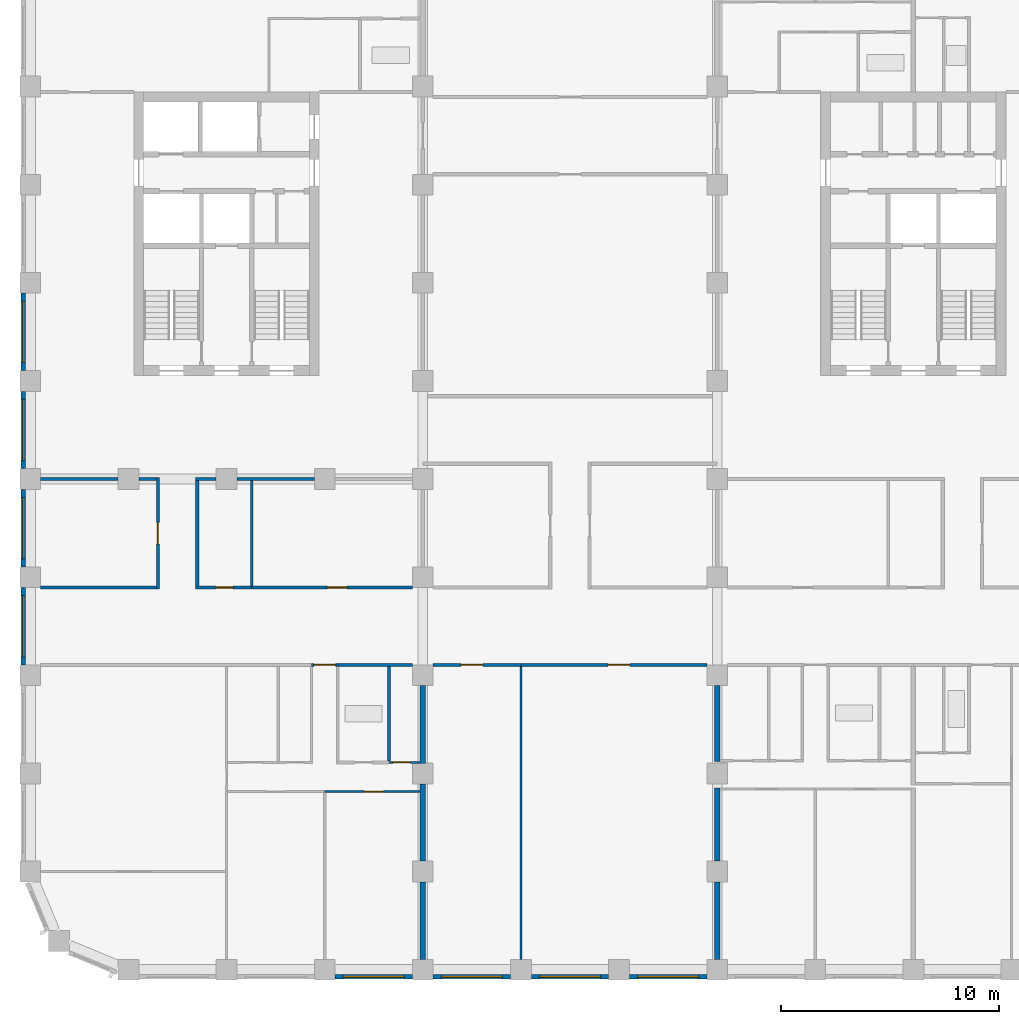
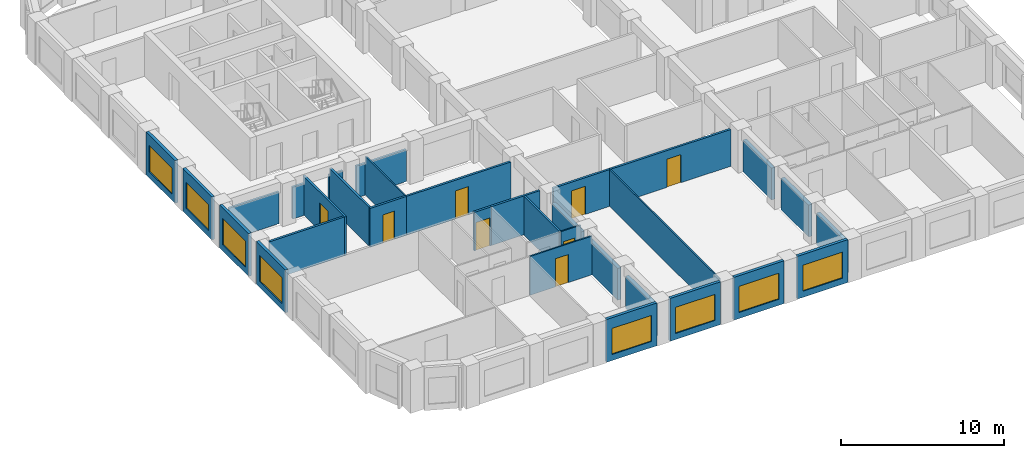
# One storey, part 3 of 12: 32 walls, 8 doors, 8 windows, 16 openings.
"""IFC4 building model written with IfcOpenShell, lengths in metres."""

from ifc_helpers import new_model, si_unit, direction, frame, frame_2d, origin, place, context, subcontext, project, spatial, rectangle, extrude, material, layer, layer_set, type_object, element, fill, save


model = new_model("IFC4")

# Units and contexts
model_context = context("Model", 3, precision=1e-05, world=origin(), true_north=direction((0.0, 1.0)))
body_context = subcontext(model_context, "Body", "Model", "MODEL_VIEW")
ifc_project = project(units=[si_unit("LENGTHUNIT", "METRE"), si_unit("AREAUNIT", "SQUARE_METRE"), si_unit("VOLUMEUNIT", "CUBIC_METRE"), si_unit("PLANEANGLEUNIT", "RADIAN"), si_unit("MASSUNIT", "GRAM", prefix="KILO")], contexts=[model_context])

# Site, building, storey
site_placement = place(None, origin())
site = spatial("IfcSite", under=ifc_project, at=site_placement, CompositionType="ELEMENT")
building_placement = place(site_placement, origin())
building = spatial("IfcBuilding", under=site, at=building_placement, Name="Girih Gate Residences", CompositionType="ELEMENT")
storey_placement = place(building_placement, frame((0.0, 0.0, 139.800048828125)))
storey = spatial("IfcBuildingStorey", under=building, at=storey_placement, Name="L39", CompositionType="ELEMENT", Elevation=139.800048828125)

# Walls
ifc_material_1 = material(Name="Gypsum board on steel studs", Category="steel")
ifc_layer_1 = layer(ifc_material_1, 0.25)
ifc_layer_set_1 = layer_set([ifc_layer_1], Name="Acoustic separating wall 250 mm")
wall_type_1 = type_object("IfcWallType", Name="Acoustic separating wall 250 mm", PredefinedType="PARTITIONING", material=ifc_layer_set_1)
for number, where, z_axis, x_axis, name in (
    (1, (18.0, 4.97509765625, 0.0), (0.0, 0.0, 1.0), (0.0, 1.0, 0.0), "L39 partition"),
    (2, (18.0, 0.47509765625, 0.0), (0.0, 0.0, 1.0), (0.0, 1.0, 0.0), "L39 partition"),
):
    element("IfcWall", number, at=place(storey_placement, frame(where, z_axis=z_axis, x_axis=x_axis)), inside=storey, type_object=wall_type_1, Name=name, PredefinedType="PARTITIONING", context=body_context, shape_type="SweptSolid", body=[
        extrude(rectangle(XDim=3.5498046875, YDim=0.25, at=frame_2d((1.77490234375, 0.0))), origin(), (0.0, 0.0, 1.0), 2.3798828125),
    ])
wall_1_placement = place(storey_placement, frame((18.0, 9.455078125, 0.0), z_axis=(0.0, 0.0, 1.0), x_axis=(0.0, 1.0, 0.0)))
element("IfcWall", 3, at=wall_1_placement, inside=storey, type_object=wall_type_1, Name="L39 partition", PredefinedType="PARTITIONING", context=body_context, shape_type="SweptSolid", body=[
    extrude(rectangle(XDim=3.56982421875, YDim=0.25, at=frame_2d((1.784912109375, 0.0))), origin(), (0.0, 0.0, 1.0), 2.3798828125),
])
wall_2_placement = place(storey_placement, frame((31.5, 9.534912109375, 0.0), z_axis=(0.0, 0.0, 1.0), x_axis=(0.0, 1.0, 0.0)))
element("IfcWall", 4, at=wall_2_placement, inside=storey, type_object=wall_type_1, Name="L39 partition", PredefinedType="PARTITIONING", context=body_context, shape_type="SweptSolid", body=[
    extrude(rectangle(XDim=3.489990234375, YDim=0.25, at=frame_2d((1.7451171875, 0.0))), origin(), (0.0, 0.0, 1.0), 2.3798828125),
])
wall_3_placement = place(storey_placement, frame((31.5, 0.47509765625, 0.0), z_axis=(0.0, 0.0, 1.0), x_axis=(0.0, 1.0, 0.0)))
element("IfcWall", 5, at=wall_3_placement, inside=storey, type_object=wall_type_1, Name="L39 partition", PredefinedType="PARTITIONING", context=body_context, shape_type="SweptSolid", body=[
    extrude(rectangle(XDim=3.5498046875, YDim=0.25, at=frame_2d((1.77490234375, 0.0))), origin(), (0.0, 0.0, 1.0), 2.3798828125),
])
wall_4_placement = place(storey_placement, frame((31.5, 4.97509765625, 0.0), z_axis=(0.0, 0.0, 1.0), x_axis=(0.0, 1.0, 0.0)))
element("IfcWall", 6, at=wall_4_placement, inside=storey, type_object=wall_type_1, Name="L39 partition", PredefinedType="PARTITIONING", context=body_context, shape_type="SweptSolid", body=[
    extrude(rectangle(XDim=3.35986328125, YDim=0.25, at=frame_2d((1.679931640625, 0.0))), origin(), (0.0, 0.0, 1.0), 2.3798828125),
])
ifc_layer_2 = layer(ifc_material_1, 0.14990234375)
ifc_layer_set_2 = layer_set([ifc_layer_2], Name="Compartment wall 150 mm")
wall_type_2 = type_object("IfcWallType", Name="Compartment wall 150 mm", PredefinedType="PARTITIONING", material=ifc_layer_set_2)
wall_5_placement = place(storey_placement, frame((14.10009765625, 13.97509765625, 0.0), z_axis=(0.0, 0.0, 1.0), x_axis=(1.0, 0.0, 0.0)))
element("IfcWall", 7, at=wall_5_placement, inside=storey, type_object=wall_type_2, Name="L39 partition", PredefinedType="PARTITIONING", context=body_context, shape_type="SweptSolid", body=[
    extrude(rectangle(XDim=3.4248046875, YDim=0.14990234375, at=frame_2d((1.71240234375, 0.0))), origin(), (0.0, 0.0, 1.0), 2.89990234375),
])

# Wall, opening, door
wall_6_placement = place(storey_placement, frame((14.10009765625, 13.97509765625, 0.0), z_axis=(0.0, 0.0, 1.0), x_axis=(-1.0, 0.0, 0.0)))
wall_6 = element("IfcWall", 8, at=wall_6_placement, inside=storey, type_object=wall_type_2, Name="L39 partition", PredefinedType="PARTITIONING", context=body_context, shape_type="SweptSolid", body=[
    extrude(rectangle(XDim=1.2001953125, YDim=0.14990234375, at=frame_2d((0.60009765625, 0.0))), origin(), (0.0, 0.0, 1.0), 2.89990234375),
])
opening_1_placement = place(wall_6_placement, frame((0.10009765625, 0.0, 0.0)))
opening_1 = element("IfcOpeningElement", 9, at=opening_1_placement, cuts=wall_6, Name="Opening A39-009", PredefinedType="OPENING", context=body_context, shape_type="SweptSolid", body=[
    extrude(rectangle(XDim=1.0, YDim=2.10009765625, at=frame_2d((0.5, 1.050048828125))), frame((0.0, 0.0849609375, 0.0), z_axis=(0.0, -1.0, 0.0), x_axis=(1.0, 0.0, 0.0)), (0.0, 0.0, 1.0), 0.169921875),
])
ifc_material_2 = material(Name="Timber, fire-rated core", Category="wood")
door_type_1 = type_object("IfcDoorType", Name="Flat entrance door 1000x2100 FD30S", OperationType="NOTDEFINED", PredefinedType="DOOR", material=ifc_material_2)
door_1_placement = place(opening_1_placement, origin())
door_1 = element("IfcDoor", 10, at=door_1_placement, inside=storey, type_object=door_type_1, Name="Door A39-009", OperationType="SINGLE_SWING_RIGHT", OverallHeight=2.10009765625, OverallWidth=1.0, PredefinedType="DOOR", context=body_context, shape_type="SweptSolid", body=[
    extrude(rectangle(XDim=1.0, YDim=2.10009765625, at=frame_2d((0.5, 1.050048828125))), frame((0.0, 0.02490234375, 0.0), z_axis=(0.0, -1.0, 0.0), x_axis=(1.0, 0.0, 0.0)), (0.0, 0.0, 1.0), 0.050048828125),
])
fill(opening_1, door_1)

wall_7_placement = place(storey_placement, frame((22.5, 13.97509765625, 0.0), z_axis=(0.0, 0.0, 1.0), x_axis=(-1.0, 0.0, 0.0)))
wall_7 = element("IfcWall", 11, at=wall_7_placement, inside=storey, type_object=wall_type_2, Name="L39 partition", PredefinedType="PARTITIONING", context=body_context, shape_type="SweptSolid", body=[
    extrude(rectangle(XDim=4.02490234375, YDim=0.14990234375, at=frame_2d((2.012451171875, 0.0))), origin(), (0.0, 0.0, 1.0), 2.75),
])
opening_2_placement = place(wall_7_placement, frame((1.75, 0.0, 0.0)))
opening_2 = element("IfcOpeningElement", 12, at=opening_2_placement, cuts=wall_7, Name="Opening A39-042", PredefinedType="OPENING", context=body_context, shape_type="SweptSolid", body=[
    extrude(rectangle(XDim=1.0, YDim=2.10009765625, at=frame_2d((0.5, 1.050048828125))), frame((0.0, 0.0849609375, 0.0), z_axis=(0.0, -1.0, 0.0), x_axis=(1.0, 0.0, 0.0)), (0.0, 0.0, 1.0), 0.169921875),
])
door_type_2 = type_object("IfcDoorType", Name="Amenity room door 1000x2100 FD30S", OperationType="NOTDEFINED", PredefinedType="DOOR", material=ifc_material_2)
door_2_placement = place(opening_2_placement, origin())
door_2 = element("IfcDoor", 13, at=door_2_placement, inside=storey, type_object=door_type_2, Name="Door A39-042", OperationType="SINGLE_SWING_RIGHT", OverallHeight=2.10009765625, OverallWidth=1.0, PredefinedType="DOOR", context=body_context, shape_type="SweptSolid", body=[
    extrude(rectangle(XDim=1.0, YDim=2.10009765625, at=frame_2d((0.5, 1.050048828125))), frame((0.0, 0.02490234375, 0.0), z_axis=(0.0, -1.0, 0.0), x_axis=(1.0, 0.0, 0.0)), (0.0, 0.0, 1.0), 0.050048828125),
])
fill(opening_2, door_2)

wall_8_placement = place(storey_placement, frame((31.02490234375, 13.97509765625, 0.0), z_axis=(0.0, 0.0, 1.0), x_axis=(-1.0, 0.0, 0.0)))
wall_8 = element("IfcWall", 14, at=wall_8_placement, inside=storey, type_object=wall_type_2, Name="L39 partition", PredefinedType="PARTITIONING", context=body_context, shape_type="SweptSolid", body=[
    extrude(rectangle(XDim=8.52490234375, YDim=0.14990234375, at=frame_2d((4.262451171875, 0.0))), origin(), (0.0, 0.0, 1.0), 2.75),
])
opening_3_placement = place(wall_8_placement, frame((3.52490234375, 0.0, 0.0)))
opening_3 = element("IfcOpeningElement", 15, at=opening_3_placement, cuts=wall_8, Name="Opening A39-043", PredefinedType="OPENING", context=body_context, shape_type="SweptSolid", body=[
    extrude(rectangle(XDim=1.0, YDim=2.10009765625, at=frame_2d((0.5, 1.050048828125))), frame((0.0, 0.0849609375, 0.0), z_axis=(0.0, -1.0, 0.0), x_axis=(1.0, 0.0, 0.0)), (0.0, 0.0, 1.0), 0.169921875),
])
door_3_placement = place(opening_3_placement, origin())
door_3 = element("IfcDoor", 16, at=door_3_placement, inside=storey, type_object=door_type_2, Name="Door A39-043", OperationType="SINGLE_SWING_LEFT", OverallHeight=2.10009765625, OverallWidth=1.0, PredefinedType="DOOR", context=body_context, shape_type="SweptSolid", body=[
    extrude(rectangle(XDim=1.0, YDim=2.10009765625, at=frame_2d((0.5, 1.050048828125))), frame((0.0, 0.02490234375, 0.0), z_axis=(0.0, -1.0, 0.0), x_axis=(1.0, 0.0, 0.0)), (0.0, 0.0, 1.0), 0.050048828125),
])
fill(opening_3, door_3)

wall_9_placement = place(storey_placement, frame((10.14990234375, 17.52490234375, 0.0), z_axis=(0.0, 0.0, 1.0), x_axis=(1.0, 0.0, 0.0)))
wall_9 = element("IfcWall", 17, at=wall_9_placement, inside=storey, type_object=wall_type_2, Name="L39 partition", PredefinedType="PARTITIONING", context=body_context, shape_type="SweptSolid", body=[
    extrude(rectangle(XDim=7.375, YDim=0.14990234375, at=frame_2d((3.6875, 0.0))), origin(), (0.0, 0.0, 1.0), 2.89990234375),
])
opening_4_placement = place(wall_9_placement, frame((3.47509765625, 0.0, 0.0)))
opening_4 = element("IfcOpeningElement", 18, at=opening_4_placement, cuts=wall_9, Name="Opening A39-047", PredefinedType="OPENING", context=body_context, shape_type="SweptSolid", body=[
    extrude(rectangle(XDim=0.89990234375, YDim=2.10009765625, at=frame_2d((0.449951171875, 1.050048828125))), frame((0.0, 0.0849609375, 0.0), z_axis=(0.0, -1.0, 0.0), x_axis=(1.0, 0.0, 0.0)), (0.0, 0.0, 1.0), 0.169921875),
])
ifc_material_3 = material(Name="Timber", Category="wood")
door_type_3 = type_object("IfcDoorType", Name="Service room door 900x2100", OperationType="NOTDEFINED", PredefinedType="DOOR", material=ifc_material_3)
door_4_placement = place(opening_4_placement, origin())
door_4 = element("IfcDoor", 19, at=door_4_placement, inside=storey, type_object=door_type_3, Name="Door A39-047", OperationType="SINGLE_SWING_RIGHT", OverallHeight=2.10009765625, OverallWidth=0.89990234375, PredefinedType="DOOR", context=body_context, shape_type="SweptSolid", body=[
    extrude(rectangle(XDim=0.89990234375, YDim=2.10009765625, at=frame_2d((0.449951171875, 1.050048828125))), frame((0.0, 0.02490234375, 0.0), z_axis=(0.0, -1.0, 0.0), x_axis=(1.0, 0.0, 0.0)), (0.0, 0.0, 1.0), 0.050048828125),
])
fill(opening_4, door_4)

wall_10_placement = place(storey_placement, frame((7.574951171875, 17.52490234375, 0.0), z_axis=(0.0, 0.0, 1.0), x_axis=(1.0, 0.0, 0.0)))
wall_10 = element("IfcWall", 20, at=wall_10_placement, inside=storey, type_object=wall_type_2, Name="L39 partition", PredefinedType="PARTITIONING", context=body_context, shape_type="SweptSolid", body=[
    extrude(rectangle(XDim=2.574951171875, YDim=0.14990234375, at=frame_2d((1.28759765625, 0.0))), origin(), (0.0, 0.0, 1.0), 2.89990234375),
])
opening_5_placement = place(wall_10_placement, frame((0.925048828125, 0.0, 0.0)))
opening_5 = element("IfcOpeningElement", 21, at=opening_5_placement, cuts=wall_10, Name="Opening A39-049", PredefinedType="OPENING", context=body_context, shape_type="SweptSolid", body=[
    extrude(rectangle(XDim=0.800048828125, YDim=2.10009765625, at=frame_2d((0.39990234375, 1.050048828125))), frame((0.0, 0.0849609375, 0.0), z_axis=(0.0, -1.0, 0.0), x_axis=(1.0, 0.0, 0.0)), (0.0, 0.0, 1.0), 0.169921875),
])
door_type_4 = type_object("IfcDoorType", Name="Bathroom door 800x2100", OperationType="NOTDEFINED", PredefinedType="DOOR", material=ifc_material_3)
door_5_placement = place(opening_5_placement, origin())
door_5 = element("IfcDoor", 22, at=door_5_placement, inside=storey, type_object=door_type_4, Name="Door A39-049", OperationType="SINGLE_SWING_RIGHT", OverallHeight=2.10009765625, OverallWidth=0.800048828125, PredefinedType="DOOR", context=body_context, shape_type="SweptSolid", body=[
    extrude(rectangle(XDim=0.800048828125, YDim=2.10009765625, at=frame_2d((0.39990234375, 1.050048828125))), frame((0.0, 0.02490234375, 0.0), z_axis=(0.0, -1.0, 0.0), x_axis=(1.0, 0.0, 0.0)), (0.0, 0.0, 1.0), 0.050048828125),
])
fill(opening_5, door_5)

# Walls
wall_11_placement = place(storey_placement, frame((0.47509765625, 17.52490234375, 0.0), z_axis=(0.0, 0.0, 1.0), x_axis=(1.0, 0.0, 0.0)))
element("IfcWall", 23, at=wall_11_placement, inside=storey, type_object=wall_type_2, Name="L39 partition", PredefinedType="PARTITIONING", context=body_context, shape_type="SweptSolid", body=[
    extrude(rectangle(XDim=5.2998046875, YDim=0.14990234375, at=frame_2d((2.64990234375, 0.0))), origin(), (0.0, 0.0, 1.0), 2.89990234375),
])
wall_12_placement = place(storey_placement, frame((9.47509765625, 22.5, 0.0), z_axis=(0.0, 0.0, 1.0), x_axis=(1.0, 0.0, 0.0)))
element("IfcWall", 24, at=wall_12_placement, inside=storey, type_object=wall_type_2, Name="L39 partition", PredefinedType="PARTITIONING", context=body_context, shape_type="SweptSolid", body=[
    extrude(rectangle(XDim=3.5498046875, YDim=0.14990234375, at=frame_2d((1.77490234375, 0.0))), origin(), (0.0, 0.0, 1.0), 2.3798828125),
])
wall_13_placement = place(storey_placement, frame((7.574951171875, 22.5, 0.0), z_axis=(0.0, 0.0, 1.0), x_axis=(1.0, 0.0, 0.0)))
element("IfcWall", 25, at=wall_13_placement, inside=storey, type_object=wall_type_2, Name="L39 partition", PredefinedType="PARTITIONING", context=body_context, shape_type="SweptSolid", body=[
    extrude(rectangle(XDim=0.949951171875, YDim=0.14990234375, at=frame_2d((0.47509765625, 0.0))), origin(), (0.0, 0.0, 1.0), 2.3798828125),
])
wall_14_placement = place(storey_placement, frame((4.97509765625, 22.5, 0.0), z_axis=(0.0, 0.0, 1.0), x_axis=(1.0, 0.0, 0.0)))
element("IfcWall", 26, at=wall_14_placement, inside=storey, type_object=wall_type_2, Name="L39 partition", PredefinedType="PARTITIONING", context=body_context, shape_type="SweptSolid", body=[
    extrude(rectangle(XDim=0.7998046875, YDim=0.14990234375, at=frame_2d((0.39990234375, 0.0))), origin(), (0.0, 0.0, 1.0), 2.3798828125),
])
wall_15_placement = place(storey_placement, frame((0.47509765625, 22.5, 0.0), z_axis=(0.0, 0.0, 1.0), x_axis=(1.0, 0.0, 0.0)))
element("IfcWall", 27, at=wall_15_placement, inside=storey, type_object=wall_type_2, Name="L39 partition", PredefinedType="PARTITIONING", context=body_context, shape_type="SweptSolid", body=[
    extrude(rectangle(XDim=3.5498046875, YDim=0.14990234375, at=frame_2d((1.77490234375, 0.0))), origin(), (0.0, 0.0, 1.0), 2.3798828125),
])
wall_16_placement = place(storey_placement, frame((7.64990234375, 17.60009765625, 0.0), z_axis=(0.0, 0.0, 1.0), x_axis=(0.0, 1.0, 0.0)))
element("IfcWall", 28, at=wall_16_placement, inside=storey, type_object=wall_type_2, Name="L39 partition", PredefinedType="PARTITIONING", context=body_context, shape_type="SweptSolid", body=[
    extrude(rectangle(XDim=4.824951171875, YDim=0.14990234375, at=frame_2d((2.41259765625, 0.0))), origin(), (0.0, 0.0, 1.0), 2.89990234375),
])

# Wall, opening, door
wall_17_placement = place(storey_placement, frame((5.85009765625, 17.449951171875, 0.0), z_axis=(0.0, 0.0, 1.0), x_axis=(0.0, 1.0, 0.0)))
wall_17 = element("IfcWall", 29, at=wall_17_placement, inside=storey, type_object=wall_type_2, Name="L39 partition", PredefinedType="PARTITIONING", context=body_context, shape_type="SweptSolid", body=[
    extrude(rectangle(XDim=5.125, YDim=0.14990234375, at=frame_2d((2.5625, 0.0))), origin(), (0.0, 0.0, 1.0), 2.89990234375),
])
opening_6_placement = place(wall_17_placement, frame((2.0625, 0.0, 0.0)))
opening_6 = element("IfcOpeningElement", 30, at=opening_6_placement, cuts=wall_17, Name="Opening A39-051", PredefinedType="OPENING", context=body_context, shape_type="SweptSolid", body=[
    extrude(rectangle(XDim=1.0, YDim=2.10009765625, at=frame_2d((0.5, 1.050048828125))), frame((0.0, 0.0849609375, 0.0), z_axis=(0.0, -1.0, 0.0), x_axis=(1.0, 0.0, 0.0)), (0.0, 0.0, 1.0), 0.169921875),
])
door_6_placement = place(opening_6_placement, origin())
door_6 = element("IfcDoor", 31, at=door_6_placement, inside=storey, type_object=door_type_2, Name="Door A39-051", OperationType="SINGLE_SWING_RIGHT", OverallHeight=2.10009765625, OverallWidth=1.0, PredefinedType="DOOR", context=body_context, shape_type="SweptSolid", body=[
    extrude(rectangle(XDim=1.0, YDim=2.10009765625, at=frame_2d((0.5, 1.050048828125))), frame((0.0, 0.02490234375, 0.0), z_axis=(0.0, -1.0, 0.0), x_axis=(1.0, 0.0, 0.0)), (0.0, 0.0, 1.0), 0.050048828125),
])
fill(opening_6, door_6)

ifc_layer_3 = layer(ifc_material_1, 0.10009765625)
ifc_layer_set_3 = layer_set([ifc_layer_3], Name="Partition 100 mm")
wall_type_3 = type_object("IfcWallType", Name="Partition 100 mm", PredefinedType="PARTITIONING", material=ifc_layer_set_3)
wall_18_placement = place(storey_placement, frame((17.875, 8.1650390625, 0.0), z_axis=(0.0, 0.0, 1.0), x_axis=(-1.0, 0.0, 0.0)))
wall_18 = element("IfcWall", 32, at=wall_18_placement, inside=storey, type_object=wall_type_3, Name="L39 partition", PredefinedType="PARTITIONING", context=body_context, shape_type="SweptSolid", body=[
    extrude(rectangle(XDim=4.375, YDim=0.10009765625, at=frame_2d((2.1875, 0.0))), origin(), (0.0, 0.0, 1.0), 2.89990234375),
])
opening_7_placement = place(wall_18_placement, frame((1.675048828125, 0.0, 0.0)))
opening_7 = element("IfcOpeningElement", 33, at=opening_7_placement, cuts=wall_18, Name="Opening A39-003", PredefinedType="OPENING", context=body_context, shape_type="SweptSolid", body=[
    extrude(rectangle(XDim=0.89990234375, YDim=2.10009765625, at=frame_2d((0.449951171875, 1.050048828125))), frame((0.0, 0.06005859375, 0.0), z_axis=(0.0, -1.0, 0.0), x_axis=(1.0, 0.0, 0.0)), (0.0, 0.0, 1.0), 0.1201171875),
])
door_type_5 = type_object("IfcDoorType", Name="Bedroom door 900x2100", OperationType="NOTDEFINED", PredefinedType="DOOR", material=ifc_material_3)
door_7_placement = place(opening_7_placement, origin())
door_7 = element("IfcDoor", 34, at=door_7_placement, inside=storey, type_object=door_type_5, Name="Door A39-003", OperationType="SINGLE_SWING_LEFT", OverallHeight=2.10009765625, OverallWidth=0.89990234375, PredefinedType="DOOR", context=body_context, shape_type="SweptSolid", body=[
    extrude(rectangle(XDim=0.89990234375, YDim=2.10009765625, at=frame_2d((0.449951171875, 1.050048828125))), frame((0.0, 0.02490234375, 0.0), z_axis=(0.0, -1.0, 0.0), x_axis=(1.0, 0.0, 0.0)), (0.0, 0.0, 1.0), 0.050048828125),
])
fill(opening_7, door_7)

wall_19_placement = place(storey_placement, frame((16.451171875, 9.5048828125, 0.0), z_axis=(0.0, 0.0, 1.0), x_axis=(1.0, 0.0, 0.0)))
wall_19 = element("IfcWall", 35, at=wall_19_placement, inside=storey, type_object=wall_type_3, Name="L39 partition", PredefinedType="PARTITIONING", context=body_context, shape_type="SweptSolid", body=[
    extrude(rectangle(XDim=1.423828125, YDim=0.10009765625, at=frame_2d((0.7119140625, 0.0))), origin(), (0.0, 0.0, 1.0), 2.89990234375),
])
opening_8_placement = place(wall_19_placement, frame((0.174560546875, 0.0, 0.0)))
opening_8 = element("IfcOpeningElement", 36, at=opening_8_placement, cuts=wall_19, Name="Opening A39-007", PredefinedType="OPENING", context=body_context, shape_type="SweptSolid", body=[
    extrude(rectangle(XDim=0.800048828125, YDim=2.10009765625, at=frame_2d((0.39990234375, 1.050048828125))), frame((0.0, 0.06005859375, 0.0), z_axis=(0.0, -1.0, 0.0), x_axis=(1.0, 0.0, 0.0)), (0.0, 0.0, 1.0), 0.1201171875),
])
door_type_6 = type_object("IfcDoorType", Name="Store door 800x2100", OperationType="NOTDEFINED", PredefinedType="DOOR", material=ifc_material_3)
door_8_placement = place(opening_8_placement, origin())
door_8 = element("IfcDoor", 37, at=door_8_placement, inside=storey, type_object=door_type_6, Name="Door A39-007", OperationType="SINGLE_SWING_LEFT", OverallHeight=2.10009765625, OverallWidth=0.800048828125, PredefinedType="DOOR", context=body_context, shape_type="SweptSolid", body=[
    extrude(rectangle(XDim=0.800048828125, YDim=2.10009765625, at=frame_2d((0.39990234375, 1.050048828125))), frame((0.0, 0.02490234375, 0.0), z_axis=(0.0, -1.0, 0.0), x_axis=(1.0, 0.0, 0.0)), (0.0, 0.0, 1.0), 0.050048828125),
])
fill(opening_8, door_8)

# Walls
wall_20_placement = place(storey_placement, frame((22.5, 0.47509765625, 0.0), z_axis=(0.0, 0.0, 1.0), x_axis=(0.0, 1.0, 0.0)))
element("IfcWall", 38, at=wall_20_placement, inside=storey, type_object=wall_type_3, Name="L39 partition", PredefinedType="PARTITIONING", context=body_context, shape_type="SweptSolid", body=[
    extrude(rectangle(XDim=13.4248046875, YDim=0.10009765625, at=frame_2d((6.71240234375, 0.0))), origin(), (0.0, 0.0, 1.0), 2.75),
])
wall_21_placement = place(storey_placement, frame((10.14990234375, 17.60009765625, 0.0), z_axis=(0.0, 0.0, 1.0), x_axis=(0.0, 1.0, 0.0)))
element("IfcWall", 39, at=wall_21_placement, inside=storey, type_object=wall_type_3, Name="L39 partition", PredefinedType="PARTITIONING", context=body_context, shape_type="SweptSolid", body=[
    extrude(rectangle(XDim=4.824951171875, YDim=0.10009765625, at=frame_2d((2.41259765625, 0.0))), origin(), (0.0, 0.0, 1.0), 2.89990234375),
])

# Wall, opening, window
ifc_material_4 = material(Name="Precast concrete C50/60", Category="concrete")
ifc_layer_4 = layer(ifc_material_4, 0.06005859375, Name="Outer leaf")
ifc_material_5 = material(Name="Rigid PIR insulation")
ifc_layer_5 = layer(ifc_material_5, 0.090087890625, Name="Insulation")
ifc_material_6 = material(Name="Precast concrete C40/50", Category="concrete")
ifc_layer_6 = layer(ifc_material_6, 0.050048828125, Name="Inner leaf")
ifc_layer_set_4 = layer_set([ifc_layer_4, ifc_layer_5, ifc_layer_6], Name="Precast concrete C50/60 external wall 200")
wall_type_4 = type_object("IfcWallType", Name="Precast concrete C50/60 external wall 200", PredefinedType="SOLIDWALL", material=ifc_layer_set_4)
wall_22_placement = place(storey_placement, frame((17.52490234375, -0.324951171875, 0.0), z_axis=(0.0, 0.0, 1.0), x_axis=(-1.0, 0.0, 0.0)))
wall_22 = element("IfcWall", 40, at=wall_22_placement, inside=storey, type_object=wall_type_4, Name="External wall S0045_0000.2", PredefinedType="SOLIDWALL", context=body_context, shape_type="SweptSolid", body=[
    extrude(rectangle(XDim=3.5498046875, YDim=0.199951171875, at=frame_2d((1.77490234375, 0.0))), origin(), (0.0, 0.0, 1.0), 3.199951171875),
])
opening_9_placement = place(wall_22_placement, frame((0.375, 0.0, 0.449951171875)))
opening_9 = element("IfcOpeningElement", 41, at=opening_9_placement, cuts=wall_22, Name="Opening W-1B", PredefinedType="OPENING", context=body_context, shape_type="SweptSolid", body=[
    extrude(rectangle(XDim=2.800048828125, YDim=1.949951171875, at=frame_2d((1.39990234375, 0.97509765625))), frame((0.0, 0.10986328125, 0.0), z_axis=(0.0, -1.0, 0.0), x_axis=(1.0, 0.0, 0.0)), (0.0, 0.0, 1.0), 0.219970703125),
])
ifc_material_7 = material(Name="Double glazing in aluminium frame", Category="aluminium")
window_type = type_object("IfcWindowType", Name="Window W-1B 2800x1950", PartitioningType="SINGLE_PANEL", PredefinedType="WINDOW", material=ifc_material_7)
window_1_placement = place(opening_9_placement, origin())
window_1 = element("IfcWindow", 42, at=window_1_placement, inside=storey, type_object=window_type, Name="Window W-1B S0045_0000.2", OverallHeight=1.949951171875, OverallWidth=2.800048828125, PartitioningType="SINGLE_PANEL", PredefinedType="WINDOW", context=body_context, shape_type="SweptSolid", body=[
    extrude(rectangle(XDim=2.800048828125, YDim=1.949951171875, at=frame_2d((1.39990234375, 0.97509765625))), frame((0.0, 0.030029296875, 0.0), z_axis=(0.0, -1.0, 0.0), x_axis=(1.0, 0.0, 0.0)), (0.0, 0.0, 1.0), 0.06005859375),
])
fill(opening_9, window_1)

wall_23_placement = place(storey_placement, frame((22.02490234375, -0.324951171875, 0.0), z_axis=(0.0, 0.0, 1.0), x_axis=(-1.0, 0.0, 0.0)))
wall_23 = element("IfcWall", 43, at=wall_23_placement, inside=storey, type_object=wall_type_4, Name="External wall S0045_0000.3", PredefinedType="SOLIDWALL", context=body_context, shape_type="SweptSolid", body=[
    extrude(rectangle(XDim=3.5498046875, YDim=0.199951171875, at=frame_2d((1.77490234375, 0.0))), origin(), (0.0, 0.0, 1.0), 3.199951171875),
])
opening_10_placement = place(wall_23_placement, frame((0.375, 0.0, 0.449951171875)))
opening_10 = element("IfcOpeningElement", 44, at=opening_10_placement, cuts=wall_23, Name="Opening W-1B", PredefinedType="OPENING", context=body_context, shape_type="SweptSolid", body=[
    extrude(rectangle(XDim=2.800048828125, YDim=1.949951171875, at=frame_2d((1.39990234375, 0.97509765625))), frame((0.0, 0.10986328125, 0.0), z_axis=(0.0, -1.0, 0.0), x_axis=(1.0, 0.0, 0.0)), (0.0, 0.0, 1.0), 0.219970703125),
])
window_2_placement = place(opening_10_placement, origin())
window_2 = element("IfcWindow", 45, at=window_2_placement, inside=storey, type_object=window_type, Name="Window W-1B S0045_0000.3", OverallHeight=1.949951171875, OverallWidth=2.800048828125, PartitioningType="SINGLE_PANEL", PredefinedType="WINDOW", context=body_context, shape_type="SweptSolid", body=[
    extrude(rectangle(XDim=2.800048828125, YDim=1.949951171875, at=frame_2d((1.39990234375, 0.97509765625))), frame((0.0, 0.030029296875, 0.0), z_axis=(0.0, -1.0, 0.0), x_axis=(1.0, 0.0, 0.0)), (0.0, 0.0, 1.0), 0.06005859375),
])
fill(opening_10, window_2)

wall_24_placement = place(storey_placement, frame((26.52490234375, -0.324951171875, 0.0), z_axis=(0.0, 0.0, 1.0), x_axis=(-1.0, 0.0, 0.0)))
wall_24 = element("IfcWall", 46, at=wall_24_placement, inside=storey, type_object=wall_type_4, Name="External wall S0045_0000.4", PredefinedType="SOLIDWALL", context=body_context, shape_type="SweptSolid", body=[
    extrude(rectangle(XDim=3.5498046875, YDim=0.199951171875, at=frame_2d((1.77490234375, 0.0))), origin(), (0.0, 0.0, 1.0), 3.199951171875),
])
opening_11_placement = place(wall_24_placement, frame((0.375, 0.0, 0.449951171875)))
opening_11 = element("IfcOpeningElement", 47, at=opening_11_placement, cuts=wall_24, Name="Opening W-1B", PredefinedType="OPENING", context=body_context, shape_type="SweptSolid", body=[
    extrude(rectangle(XDim=2.800048828125, YDim=1.949951171875, at=frame_2d((1.39990234375, 0.97509765625))), frame((0.0, 0.10986328125, 0.0), z_axis=(0.0, -1.0, 0.0), x_axis=(1.0, 0.0, 0.0)), (0.0, 0.0, 1.0), 0.219970703125),
])
window_3_placement = place(opening_11_placement, origin())
window_3 = element("IfcWindow", 48, at=window_3_placement, inside=storey, type_object=window_type, Name="Window W-1B S0045_0000.4", OverallHeight=1.949951171875, OverallWidth=2.800048828125, PartitioningType="SINGLE_PANEL", PredefinedType="WINDOW", context=body_context, shape_type="SweptSolid", body=[
    extrude(rectangle(XDim=2.800048828125, YDim=1.949951171875, at=frame_2d((1.39990234375, 0.97509765625))), frame((0.0, 0.030029296875, 0.0), z_axis=(0.0, -1.0, 0.0), x_axis=(1.0, 0.0, 0.0)), (0.0, 0.0, 1.0), 0.06005859375),
])
fill(opening_11, window_3)

wall_25_placement = place(storey_placement, frame((31.02490234375, -0.324951171875, 0.0), z_axis=(0.0, 0.0, 1.0), x_axis=(-1.0, 0.0, 0.0)))
wall_25 = element("IfcWall", 49, at=wall_25_placement, inside=storey, type_object=wall_type_4, Name="External wall S0045_0000.5", PredefinedType="SOLIDWALL", context=body_context, shape_type="SweptSolid", body=[
    extrude(rectangle(XDim=3.5498046875, YDim=0.199951171875, at=frame_2d((1.77490234375, 0.0))), origin(), (0.0, 0.0, 1.0), 3.199951171875),
])
opening_12_placement = place(wall_25_placement, frame((0.375, 0.0, 0.449951171875)))
opening_12 = element("IfcOpeningElement", 50, at=opening_12_placement, cuts=wall_25, Name="Opening W-1B", PredefinedType="OPENING", context=body_context, shape_type="SweptSolid", body=[
    extrude(rectangle(XDim=2.800048828125, YDim=1.949951171875, at=frame_2d((1.39990234375, 0.97509765625))), frame((0.0, 0.10986328125, 0.0), z_axis=(0.0, -1.0, 0.0), x_axis=(1.0, 0.0, 0.0)), (0.0, 0.0, 1.0), 0.219970703125),
])
window_4_placement = place(opening_12_placement, origin())
window_4 = element("IfcWindow", 51, at=window_4_placement, inside=storey, type_object=window_type, Name="Window W-1B S0045_0000.5", OverallHeight=1.949951171875, OverallWidth=2.800048828125, PartitioningType="SINGLE_PANEL", PredefinedType="WINDOW", context=body_context, shape_type="SweptSolid", body=[
    extrude(rectangle(XDim=2.800048828125, YDim=1.949951171875, at=frame_2d((1.39990234375, 0.97509765625))), frame((0.0, 0.030029296875, 0.0), z_axis=(0.0, -1.0, 0.0), x_axis=(1.0, 0.0, 0.0)), (0.0, 0.0, 1.0), 0.06005859375),
])
fill(opening_12, window_4)

wall_26_placement = place(storey_placement, frame((-0.324951171875, 27.47509765625, 0.0), z_axis=(0.0, 0.0, 1.0), x_axis=(0.0, 1.0, 0.0)))
wall_26 = element("IfcWall", 52, at=wall_26_placement, inside=storey, type_object=wall_type_4, Name="External wall W0000_0450.3", PredefinedType="SOLIDWALL", context=body_context, shape_type="SweptSolid", body=[
    extrude(rectangle(XDim=3.5498046875, YDim=0.199951171875, at=frame_2d((1.77490234375, 0.0))), origin(), (0.0, 0.0, 1.0), 3.199951171875),
])
opening_13_placement = place(wall_26_placement, frame((0.375, 0.0, 0.449951171875)))
opening_13 = element("IfcOpeningElement", 53, at=opening_13_placement, cuts=wall_26, Name="Opening W-1B", PredefinedType="OPENING", context=body_context, shape_type="SweptSolid", body=[
    extrude(rectangle(XDim=2.800048828125, YDim=1.949951171875, at=frame_2d((1.39990234375, 0.97509765625))), frame((0.0, 0.10986328125, 0.0), z_axis=(0.0, -1.0, 0.0), x_axis=(1.0, 0.0, 0.0)), (0.0, 0.0, 1.0), 0.219970703125),
])
window_5_placement = place(opening_13_placement, origin())
window_5 = element("IfcWindow", 54, at=window_5_placement, inside=storey, type_object=window_type, Name="Window W-1B W0000_0450.3", OverallHeight=1.949951171875, OverallWidth=2.800048828125, PartitioningType="SINGLE_PANEL", PredefinedType="WINDOW", context=body_context, shape_type="SweptSolid", body=[
    extrude(rectangle(XDim=2.800048828125, YDim=1.949951171875, at=frame_2d((1.39990234375, 0.97509765625))), frame((0.0, 0.030029296875, 0.0), z_axis=(0.0, -1.0, 0.0), x_axis=(1.0, 0.0, 0.0)), (0.0, 0.0, 1.0), 0.06005859375),
])
fill(opening_13, window_5)

wall_27_placement = place(storey_placement, frame((-0.324951171875, 22.97509765625, 0.0), z_axis=(0.0, 0.0, 1.0), x_axis=(0.0, 1.0, 0.0)))
wall_27 = element("IfcWall", 55, at=wall_27_placement, inside=storey, type_object=wall_type_4, Name="External wall W0000_0450.4", PredefinedType="SOLIDWALL", context=body_context, shape_type="SweptSolid", body=[
    extrude(rectangle(XDim=3.5498046875, YDim=0.199951171875, at=frame_2d((1.77490234375, 0.0))), origin(), (0.0, 0.0, 1.0), 3.199951171875),
])
opening_14_placement = place(wall_27_placement, frame((0.375, 0.0, 0.449951171875)))
opening_14 = element("IfcOpeningElement", 56, at=opening_14_placement, cuts=wall_27, Name="Opening W-1B", PredefinedType="OPENING", context=body_context, shape_type="SweptSolid", body=[
    extrude(rectangle(XDim=2.800048828125, YDim=1.949951171875, at=frame_2d((1.39990234375, 0.97509765625))), frame((0.0, 0.10986328125, 0.0), z_axis=(0.0, -1.0, 0.0), x_axis=(1.0, 0.0, 0.0)), (0.0, 0.0, 1.0), 0.219970703125),
])
window_6_placement = place(opening_14_placement, origin())
window_6 = element("IfcWindow", 57, at=window_6_placement, inside=storey, type_object=window_type, Name="Window W-1B W0000_0450.4", OverallHeight=1.949951171875, OverallWidth=2.800048828125, PartitioningType="SINGLE_PANEL", PredefinedType="WINDOW", context=body_context, shape_type="SweptSolid", body=[
    extrude(rectangle(XDim=2.800048828125, YDim=1.949951171875, at=frame_2d((1.39990234375, 0.97509765625))), frame((0.0, 0.030029296875, 0.0), z_axis=(0.0, -1.0, 0.0), x_axis=(1.0, 0.0, 0.0)), (0.0, 0.0, 1.0), 0.06005859375),
])
fill(opening_14, window_6)

wall_28_placement = place(storey_placement, frame((-0.324951171875, 18.47509765625, 0.0), z_axis=(0.0, 0.0, 1.0), x_axis=(0.0, 1.0, 0.0)))
wall_28 = element("IfcWall", 58, at=wall_28_placement, inside=storey, type_object=wall_type_4, Name="External wall W0000_0450.5", PredefinedType="SOLIDWALL", context=body_context, shape_type="SweptSolid", body=[
    extrude(rectangle(XDim=3.5498046875, YDim=0.199951171875, at=frame_2d((1.77490234375, 0.0))), origin(), (0.0, 0.0, 1.0), 3.199951171875),
])
opening_15_placement = place(wall_28_placement, frame((0.375, 0.0, 0.449951171875)))
opening_15 = element("IfcOpeningElement", 59, at=opening_15_placement, cuts=wall_28, Name="Opening W-1B", PredefinedType="OPENING", context=body_context, shape_type="SweptSolid", body=[
    extrude(rectangle(XDim=2.800048828125, YDim=1.949951171875, at=frame_2d((1.39990234375, 0.97509765625))), frame((0.0, 0.10986328125, 0.0), z_axis=(0.0, -1.0, 0.0), x_axis=(1.0, 0.0, 0.0)), (0.0, 0.0, 1.0), 0.219970703125),
])
window_7_placement = place(opening_15_placement, origin())
window_7 = element("IfcWindow", 60, at=window_7_placement, inside=storey, type_object=window_type, Name="Window W-1B W0000_0450.5", OverallHeight=1.949951171875, OverallWidth=2.800048828125, PartitioningType="SINGLE_PANEL", PredefinedType="WINDOW", context=body_context, shape_type="SweptSolid", body=[
    extrude(rectangle(XDim=2.800048828125, YDim=1.949951171875, at=frame_2d((1.39990234375, 0.97509765625))), frame((0.0, 0.030029296875, 0.0), z_axis=(0.0, -1.0, 0.0), x_axis=(1.0, 0.0, 0.0)), (0.0, 0.0, 1.0), 0.06005859375),
])
fill(opening_15, window_7)

wall_29_placement = place(storey_placement, frame((-0.324951171875, 13.97509765625, 0.0), z_axis=(0.0, 0.0, 1.0), x_axis=(0.0, 1.0, 0.0)))
wall_29 = element("IfcWall", 61, at=wall_29_placement, inside=storey, type_object=wall_type_4, Name="External wall W0000_0450.6", PredefinedType="SOLIDWALL", context=body_context, shape_type="SweptSolid", body=[
    extrude(rectangle(XDim=3.5498046875, YDim=0.199951171875, at=frame_2d((1.77490234375, 0.0))), origin(), (0.0, 0.0, 1.0), 3.199951171875),
])
opening_16_placement = place(wall_29_placement, frame((0.375, 0.0, 0.449951171875)))
opening_16 = element("IfcOpeningElement", 62, at=opening_16_placement, cuts=wall_29, Name="Opening W-1B", PredefinedType="OPENING", context=body_context, shape_type="SweptSolid", body=[
    extrude(rectangle(XDim=2.800048828125, YDim=1.949951171875, at=frame_2d((1.39990234375, 0.97509765625))), frame((0.0, 0.10986328125, 0.0), z_axis=(0.0, -1.0, 0.0), x_axis=(1.0, 0.0, 0.0)), (0.0, 0.0, 1.0), 0.219970703125),
])
window_8_placement = place(opening_16_placement, origin())
window_8 = element("IfcWindow", 63, at=window_8_placement, inside=storey, type_object=window_type, Name="Window W-1B W0000_0450.6", OverallHeight=1.949951171875, OverallWidth=2.800048828125, PartitioningType="SINGLE_PANEL", PredefinedType="WINDOW", context=body_context, shape_type="SweptSolid", body=[
    extrude(rectangle(XDim=2.800048828125, YDim=1.949951171875, at=frame_2d((1.39990234375, 0.97509765625))), frame((0.0, 0.030029296875, 0.0), z_axis=(0.0, -1.0, 0.0), x_axis=(1.0, 0.0, 0.0)), (0.0, 0.0, 1.0), 0.06005859375),
])
fill(opening_16, window_8)

# Wall
ifc_layer_7 = layer(ifc_material_1, 0.125)
ifc_layer_set_5 = layer_set([ifc_layer_7], Name="Wet room wall 125 mm")
wall_type_5 = type_object("IfcWallType", Name="Wet room wall 125 mm", PredefinedType="PARTITIONING", material=ifc_layer_set_5)
wall_30_placement = place(storey_placement, frame((16.450927734375, 9.5673828125, 0.0), z_axis=(0.0, 0.0, 1.0), x_axis=(0.0, 1.0, 0.0)))
element("IfcWall", 64, at=wall_30_placement, inside=storey, type_object=wall_type_5, Name="L39 partition", PredefinedType="PARTITIONING", context=body_context, shape_type="SweptSolid", body=[
    extrude(rectangle(XDim=4.33251953125, YDim=0.125, at=frame_2d((2.166259765625, 0.0))), origin(), (0.0, 0.0, 1.0), 2.89990234375),
])

save(model, "model.ifc")
